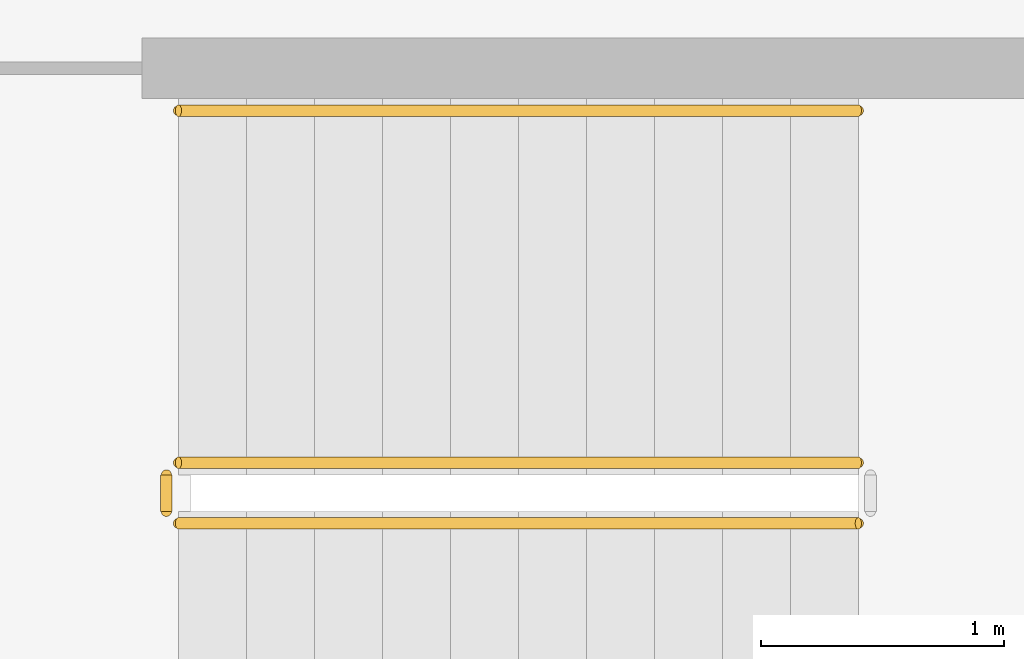
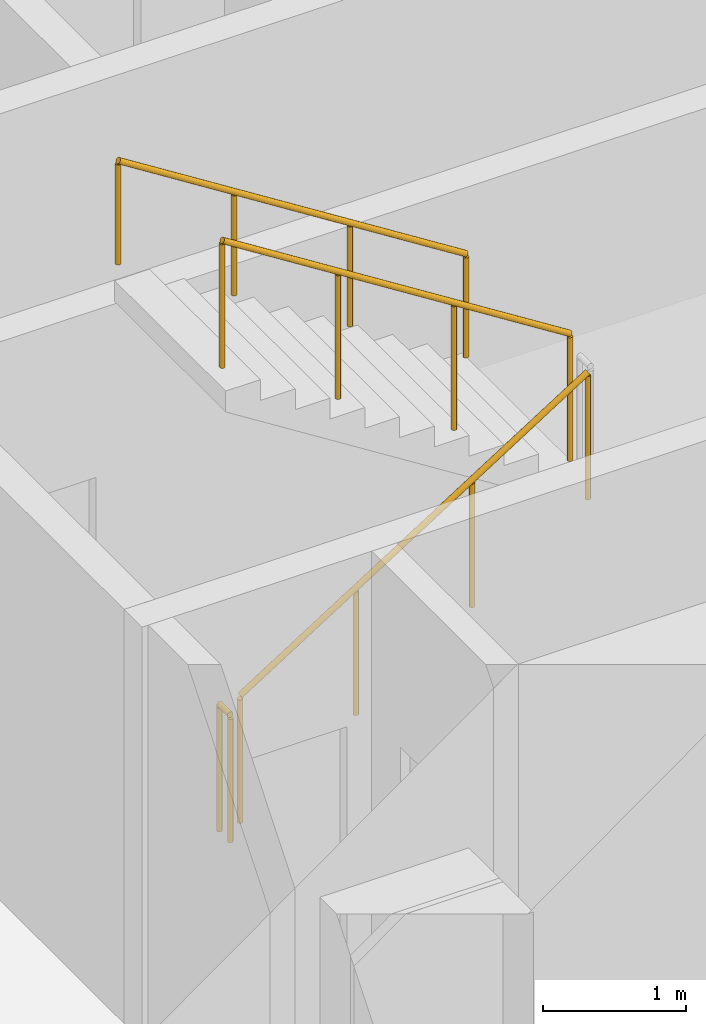
# One storey, part 11 of 18: 4 railings.
"""IFC4 building model written with IfcOpenShell, lengths in metres."""

from ifc_helpers import new_model, si_unit, direction, frame, origin, origin_2d, place, context, subcontext, project, spatial, circle, extrude, material, type_object, element, save


model = new_model("IFC4")

# Units and contexts
model_context = context("Model", 3, precision=1e-05, world=origin(), true_north=direction((0.0, 1.0)))
body_context = subcontext(model_context, "Body", "Model", "MODEL_VIEW")
ifc_project = project(units=[si_unit("LENGTHUNIT", "METRE"), si_unit("AREAUNIT", "SQUARE_METRE"), si_unit("VOLUMEUNIT", "CUBIC_METRE"), si_unit("PLANEANGLEUNIT", "RADIAN"), si_unit("MASSUNIT", "GRAM", prefix="KILO")], contexts=[model_context])

# Site, building, storey
site_placement = place(None, origin())
site = spatial("IfcSite", under=ifc_project, at=site_placement, CompositionType="ELEMENT")
building_placement = place(site_placement, origin())
building = spatial("IfcBuilding", under=site, at=building_placement, Name="Dhurran Vertical Campus", CompositionType="ELEMENT")
storey_placement = place(building_placement, frame((0.0, 0.0, 30.0)))
storey = spatial("IfcBuildingStorey", under=building, at=storey_placement, Name="L06", CompositionType="ELEMENT", Elevation=30.0)

# Railings
ifc_material_1 = material(Name="Stainless steel balustrade", Category="steel")
railing_type_1 = type_object("IfcRailingType", Name="co-RL-GUARD-1100", PredefinedType="GUARDRAIL", material=ifc_material_1)
railing_1_placement = place(storey_placement, frame((-11.10009765625, -9.14990234375, 0.17724609375)))
element("IfcRailing", 1, at=railing_1_placement, inside=storey, type_object=railing_type_1, Name="L06 ST3 stair guard 1", PredefinedType="GUARDRAIL", context=body_context, shape_type="SweptSolid", body=[
    extrude(circle(Radius=0.02392578125, at=origin_2d()), frame((0.0, 0.0, 1.076171875), z_axis=(0.844908973607, 0.0, 0.534910110503), x_axis=(0.0, 1.0, 0.0)), (0.0, 0.0, 1.0), 3.31396484375),
    extrude(circle(Radius=0.02099609375, at=origin_2d()), origin(), (0.0, 0.0, 1.0), 1.052001953125),
    extrude(circle(Radius=0.02099609375, at=origin_2d()), frame((0.933349609375, 0.0, 0.5908203125)), (0.0, 0.0, 1.0), 1.052001953125),
    extrude(circle(Radius=0.02099609375, at=origin_2d()), frame((1.86669921875, 0.0, 1.181884765625)), (0.0, 0.0, 1.0), 1.052001953125),
    extrude(circle(Radius=0.02099609375, at=origin_2d()), frame((2.800048828125, 0.0, 1.772705078125)), (0.0, 0.0, 1.0), 1.052001953125),
])
railing_2_placement = place(storey_placement, frame((-8.300048828125, -8.89990234375, 2.127197265625)))
element("IfcRailing", 2, at=railing_2_placement, inside=storey, type_object=railing_type_1, Name="L06 ST3 stair guard 3", PredefinedType="GUARDRAIL", context=body_context, shape_type="SweptSolid", body=[
    extrude(circle(Radius=0.02392578125, at=origin_2d()), frame((0.0, 0.0, 1.076171875), z_axis=(-0.844908973607, 0.0, 0.534910110503), x_axis=(0.0, -1.0, 0.0)), (0.0, 0.0, 1.0), 3.31396484375),
    extrude(circle(Radius=0.02099609375, at=origin_2d()), origin(), (0.0, 0.0, 1.0), 1.052001953125),
    extrude(circle(Radius=0.02099609375, at=origin_2d()), frame((-0.933349609375, 0.0, 0.5908203125)), (0.0, 0.0, 1.0), 1.052001953125),
    extrude(circle(Radius=0.02099609375, at=origin_2d()), frame((-1.86669921875, 0.0, 1.181884765625)), (0.0, 0.0, 1.0), 1.052001953125),
    extrude(circle(Radius=0.02099609375, at=origin_2d()), frame((-2.800048828125, 0.0, 1.772705078125)), (0.0, 0.0, 1.0), 1.052001953125),
])
railing_3_placement = place(storey_placement, frame((-11.14990234375, -9.10009765625, 0.0)))
element("IfcRailing", 3, at=railing_3_placement, inside=storey, type_object=railing_type_1, Name="L06 ST3 stair guard 4", PredefinedType="GUARDRAIL", context=body_context, shape_type="SweptSolid", body=[
    extrude(circle(Radius=0.02392578125, at=origin_2d()), frame((0.0, 0.0, 1.076171875), z_axis=(0.0, 1.0, 0.0), x_axis=(-1.0, 0.0, 0.0)), (0.0, 0.0, 1.0), 0.150146484375),
    extrude(circle(Radius=0.02099609375, at=origin_2d()), origin(), (0.0, 0.0, 1.0), 1.052001953125),
    extrude(circle(Radius=0.02099609375, at=origin_2d()), frame((0.0, 0.150146484375, 0.0)), (0.0, 0.0, 1.0), 1.052001953125),
])
ifc_material_2 = material(Name="Stainless steel handrail", Category="steel")
railing_type_2 = type_object("IfcRailingType", Name="co-RL-HANDRAIL-900", PredefinedType="HANDRAIL", material=ifc_material_2)
railing_4_placement = place(storey_placement, frame((-8.300048828125, -7.449951171875, 2.127197265625)))
element("IfcRailing", 4, at=railing_4_placement, inside=storey, type_object=railing_type_2, Name="L06 ST3 stair handrail 2", PredefinedType="HANDRAIL", context=body_context, shape_type="SweptSolid", body=[
    extrude(circle(Radius=0.02392578125, at=origin_2d()), frame((0.0, 0.0, 0.8759765625), z_axis=(-0.844908973607, 0.0, 0.534910110503), x_axis=(0.0, -1.0, 0.0)), (0.0, 0.0, 1.0), 3.31396484375),
    extrude(circle(Radius=0.02099609375, at=origin_2d()), origin(), (0.0, 0.0, 1.0), 0.851806640625),
    extrude(circle(Radius=0.02099609375, at=origin_2d()), frame((-0.933349609375, 0.0, 0.5908203125)), (0.0, 0.0, 1.0), 0.851806640625),
    extrude(circle(Radius=0.02099609375, at=origin_2d()), frame((-1.86669921875, 0.0, 1.181884765625)), (0.0, 0.0, 1.0), 0.851806640625),
    extrude(circle(Radius=0.02099609375, at=origin_2d()), frame((-2.800048828125, 0.0, 1.772705078125)), (0.0, 0.0, 1.0), 0.851806640625),
])

save(model, "model.ifc")
